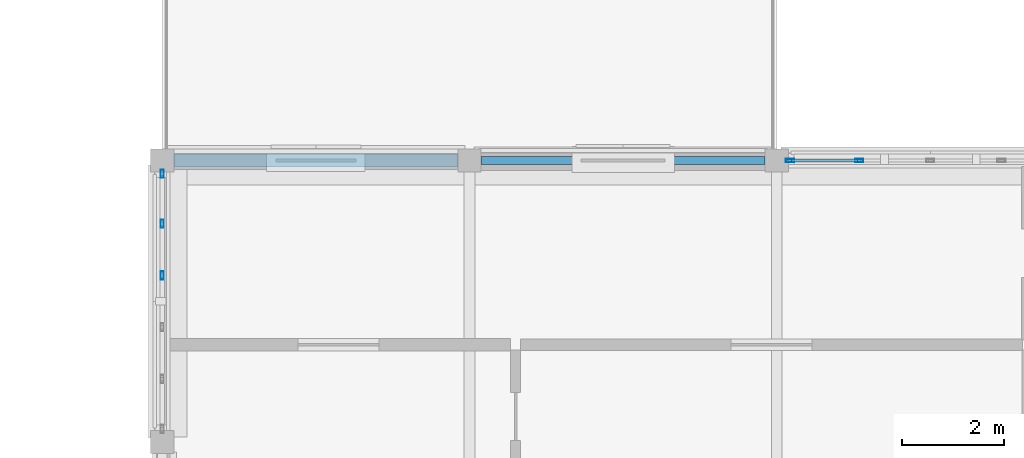
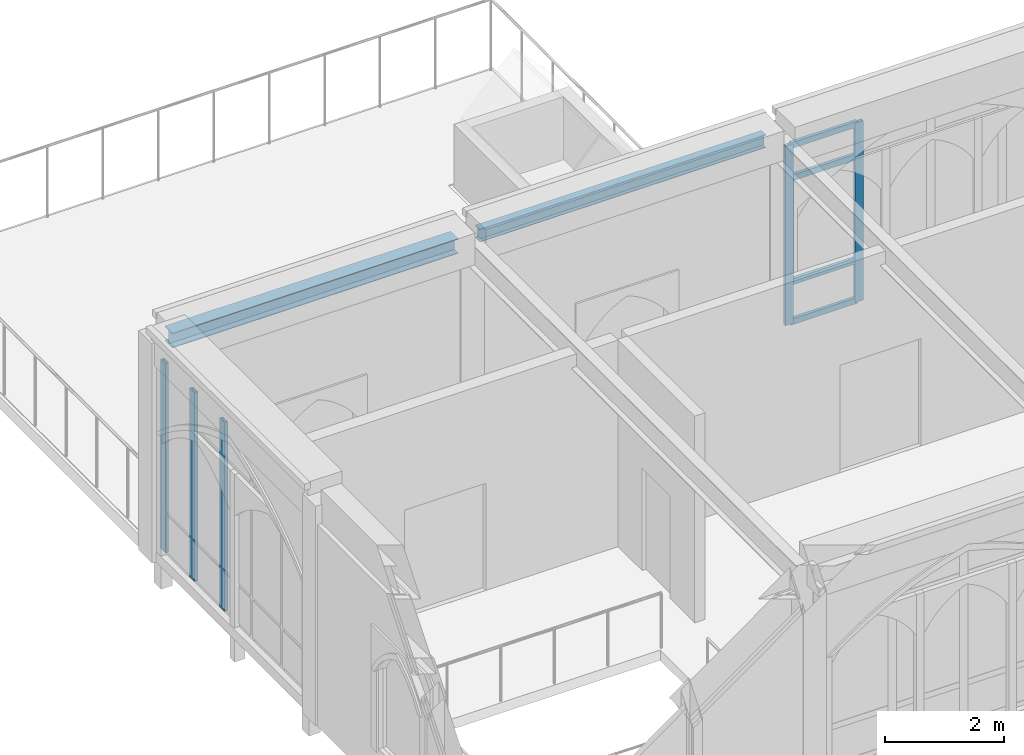
# One storey, part 18 of 59: 9 members, 2 beams, 2 elements without a shape of their own.
"""IFC4 building model written with IfcOpenShell, lengths in metres."""

from ifc_helpers import new_model, si_unit, direction, frame, origin, origin_2d, place, context, subcontext, project, spatial, hollow_rectangle, i_section, extrude, material, layer, layer_set, material_profile, profile_set, type_object, element, aggregate, save


model = new_model("IFC4")

# Units and contexts
model_context = context("Model", 3, precision=1e-05, world=origin(), true_north=direction((0.0, 1.0)))
body_context = subcontext(model_context, "Body", "Model", "MODEL_VIEW")
ifc_project = project(units=[si_unit("LENGTHUNIT", "METRE"), si_unit("AREAUNIT", "SQUARE_METRE"), si_unit("VOLUMEUNIT", "CUBIC_METRE"), si_unit("PLANEANGLEUNIT", "RADIAN"), si_unit("MASSUNIT", "GRAM", prefix="KILO")], contexts=[model_context])

# Site, building, storey
site_placement = place(None, origin())
site = spatial("IfcSite", under=ifc_project, at=site_placement, CompositionType="ELEMENT")
building_placement = place(site_placement, origin())
building = spatial("IfcBuilding", under=site, at=building_placement, Name="Cumevento Cable Car Station", CompositionType="ELEMENT")
storey_placement = place(building_placement, frame((0.0, 0.0, 18.0)))
storey = spatial("IfcBuildingStorey", under=building, at=storey_placement, Name="L05", CompositionType="ELEMENT", Elevation=18.0)

# Curtain wall, members
ifc_material_1 = material(Name="Anodised Bronze Aluminium AW-6063-T6", Category="aluminium")
ifc_layer_1 = layer(ifc_material_1, 0.238037109375)
ifc_layer_set_1 = layer_set([ifc_layer_1], Name="Anodised Bronze Aluminium AW-6063-T6")
curtain_wall_type_1 = type_object("IfcCurtainWallType", Name="Lancet Curtain Wall CW-14 1570", PredefinedType="NOTDEFINED", material=ifc_layer_set_1)
curtain_wall_1_placement = place(storey_placement, origin())
curtain_wall_1 = element("IfcCurtainWall", 1, at=curtain_wall_1_placement, inside=storey, type_object=curtain_wall_type_1, Name="Lancet Curtain Wall CW-14 L05 #205", PredefinedType="NOTDEFINED")
ifc_material_2 = material(Name="Anodised Bronze Aluminium AW-6063-T6", Category="aluminium")
ifc_material_profile_1 = material_profile(ifc_material_2, hollow_rectangle(XDim=0.06494140625, YDim=0.159912109375, WallThickness=0.00390625, at=origin_2d()), Name="ALUM65x160x4")
ifc_profile_set_1 = profile_set([ifc_material_profile_1], Name="Anodised Bronze Aluminium AW-6063-T6")
member_type_1 = type_object("IfcMemberType", Name="Curtain Mullion CWM-01 ALUM65x160x4", PredefinedType="MULLION", material=ifc_profile_set_1)
member_1_placement = place(storey_placement, frame((34.257568359375, 56.5, 0.409912109375), z_axis=(0.0, 0.0, 1.0), x_axis=(0.0, 1.0, 0.0)))
member_1 = element("IfcMember", 2, at=member_1_placement, type_object=member_type_1, Name="CW-14 mullion 1", PredefinedType="MULLION", context=body_context, shape_type="SweptSolid", body=[
    extrude(hollow_rectangle(XDim=0.06494140625, YDim=0.159912109375, WallThickness=0.00390625, at=origin_2d()), origin(), (0.0, 0.0, 1.0), 3.68310546875),
])
member_2_placement = place(storey_placement, frame((35.612548828125, 56.5, 0.409912109375), z_axis=(0.0, 0.0, 1.0), x_axis=(0.0, 1.0, 0.0)))
member_2 = element("IfcMember", 3, at=member_2_placement, type_object=member_type_1, Name="CW-14 mullion 2", PredefinedType="MULLION", context=body_context, shape_type="SweptSolid", body=[
    extrude(hollow_rectangle(XDim=0.06494140625, YDim=0.159912109375, WallThickness=0.00390625, at=origin_2d()), origin(), (0.0, 0.0, 1.0), 3.68310546875),
])

ifc_material_3 = material(Name="Anodised Bronze Aluminium AW-6063-T6", Category="aluminium")
ifc_layer_2 = layer(ifc_material_3, 0.166015625)
ifc_layer_set_2 = layer_set([ifc_layer_2], Name="Anodised Bronze Aluminium AW-6063-T6")
curtain_wall_type_2 = type_object("IfcCurtainWallType", Name="Lancet Curtain Wall CW-02 1090", PredefinedType="NOTDEFINED", material=ifc_layer_set_2)
curtain_wall_2_placement = place(storey_placement, origin())
curtain_wall_2 = element("IfcCurtainWall", 4, at=curtain_wall_2_placement, inside=storey, type_object=curtain_wall_type_2, Name="Lancet Curtain Wall CW-02 L05 #209", PredefinedType="NOTDEFINED")
member_3_placement = place(storey_placement, frame((22.0, 54.2548828125, 0.2099609375), z_axis=(0.0, 0.0, 1.0), x_axis=(-1.0, 0.0, 0.0)))
member_3 = element("IfcMember", 5, at=member_3_placement, type_object=member_type_1, Name="CW-02 mullion 4", PredefinedType="MULLION", context=body_context, shape_type="SweptSolid", body=[
    extrude(hollow_rectangle(XDim=0.06494140625, YDim=0.159912109375, WallThickness=0.00390625, at=origin_2d()), origin(), (0.0, 0.0, 1.0), 3.883056640625),
])
member_4_placement = place(storey_placement, frame((22.0, 55.264892578125, 0.2099609375), z_axis=(0.0, 0.0, 1.0), x_axis=(-1.0, 0.0, 0.0)))
member_4 = element("IfcMember", 6, at=member_4_placement, type_object=member_type_1, Name="CW-02 mullion 5", PredefinedType="MULLION", context=body_context, shape_type="SweptSolid", body=[
    extrude(hollow_rectangle(XDim=0.06494140625, YDim=0.159912109375, WallThickness=0.00390625, at=origin_2d()), origin(), (0.0, 0.0, 1.0), 3.883056640625),
])
member_5_placement = place(storey_placement, frame((22.0, 56.242431640625, 0.2099609375), z_axis=(0.0, 0.0, 1.0), x_axis=(-1.0, 0.0, 0.0)))
member_5 = element("IfcMember", 7, at=member_5_placement, type_object=member_type_1, Name="CW-02 mullion 6", PredefinedType="MULLION", context=body_context, shape_type="SweptSolid", body=[
    extrude(hollow_rectangle(XDim=0.06494140625, YDim=0.159912109375, WallThickness=0.00390625, at=origin_2d()), origin(), (0.0, 0.0, 1.0), 3.883056640625),
])
aggregate(curtain_wall_2, [member_3, member_4, member_5])

# Member
ifc_material_4 = material(Name="Anodised Bronze Aluminium AW-6063-T6", Category="aluminium")
ifc_material_profile_2 = material_profile(ifc_material_4, hollow_rectangle(XDim=0.06494140625, YDim=0.1201171875, WallThickness=0.00390625, at=origin_2d()), Name="ALUT65x120x4")
ifc_profile_set_2 = profile_set([ifc_material_profile_2], Name="Anodised Bronze Aluminium AW-6063-T6")
member_type_2 = type_object("IfcMemberType", Name="Curtain Transom CWT-01 ALUT65x120x4", PredefinedType="USERDEFINED", material=ifc_profile_set_2)
member_6_placement = place(storey_placement, frame((34.2900390625, 56.5, 0.4423828125), z_axis=(1.0, 0.0, 0.0), x_axis=(0.0, 1.0, 0.0)))
member_6 = element("IfcMember", 8, at=member_6_placement, type_object=member_type_2, Name="CW-14 transom 1.1", ObjectType="TRANSOM", PredefinedType="USERDEFINED", context=body_context, shape_type="SweptSolid", body=[
    extrude(hollow_rectangle(XDim=0.06494140625, YDim=0.1201171875, WallThickness=0.00390625, at=origin_2d()), origin(), (0.0, 0.0, 1.0), 1.2900390625),
])

member_7_placement = place(storey_placement, frame((34.2900390625, 56.5, 1.260009765625), z_axis=(1.0, 0.0, 0.0), x_axis=(0.0, 1.0, 0.0)))
member_7 = element("IfcMember", 9, at=member_7_placement, type_object=member_type_2, Name="CW-14 transom 1.2", ObjectType="TRANSOM", PredefinedType="USERDEFINED", context=body_context, shape_type="SweptSolid", body=[
    extrude(hollow_rectangle(XDim=0.06494140625, YDim=0.1201171875, WallThickness=0.00390625, at=origin_2d()), origin(), (0.0, 0.0, 1.0), 1.2900390625),
])

member_8_placement = place(storey_placement, frame((34.2900390625, 56.5, 3.39306640625), z_axis=(1.0, 0.0, 0.0), x_axis=(0.0, 1.0, 0.0)))
member_8 = element("IfcMember", 10, at=member_8_placement, type_object=member_type_2, Name="CW-14 transom 1.3", ObjectType="TRANSOM", PredefinedType="USERDEFINED", context=body_context, shape_type="SweptSolid", body=[
    extrude(hollow_rectangle(XDim=0.06494140625, YDim=0.1201171875, WallThickness=0.00390625, at=origin_2d()), origin(), (0.0, 0.0, 1.0), 1.2900390625),
])

member_9_placement = place(storey_placement, frame((34.2900390625, 56.5, 4.060546875), z_axis=(1.0, 0.0, 0.0), x_axis=(0.0, 1.0, 0.0)))
member_9 = element("IfcMember", 11, at=member_9_placement, type_object=member_type_2, Name="CW-14 transom 1.4", ObjectType="TRANSOM", PredefinedType="USERDEFINED", context=body_context, shape_type="SweptSolid", body=[
    extrude(hollow_rectangle(XDim=0.06494140625, YDim=0.1201171875, WallThickness=0.00390625, at=origin_2d()), origin(), (0.0, 0.0, 1.0), 1.2900390625),
])

aggregate(curtain_wall_1, [member_1, member_2, member_6, member_7, member_8, member_9])

# Beams
ifc_material_5 = material(Name="Steel ASTM A572 Grade 50", Category="steel")
ifc_material_profile_3 = material_profile(ifc_material_5, i_section(OverallWidth=0.25390625, OverallDepth=0.305908203125, WebThickness=0.0087890625, FlangeThickness=0.0146484375, at=origin_2d()), Name="W310x79.0")
ifc_profile_set_3 = profile_set([ifc_material_profile_3], Name="Steel ASTM A572 Grade 50")
beam_type_1 = type_object("IfcBeamType", Name="Structural Beam BM-06 W310x79.0", PredefinedType="BEAM", material=ifc_profile_set_3)
beam_1_placement = place(storey_placement, frame((22.22509765625, 56.5, 4.346923828125), z_axis=(1.0, 0.0, 0.0), x_axis=(0.0, 1.0, 0.0)))
element("IfcBeam", 12, at=beam_1_placement, inside=storey, type_object=beam_type_1, Name="Beam BM-06 L05 #1595", PredefinedType="BEAM", context=body_context, shape_type="SweptSolid", body=[
    extrude(i_section(OverallWidth=0.25390625, OverallDepth=0.305908203125, WebThickness=0.0087890625, FlangeThickness=0.0146484375, at=origin_2d()), origin(), (0.0, 0.0, 1.0), 5.5498046875),
])
ifc_material_6 = material(Name="Steel ASTM A572 Grade 50", Category="steel")
ifc_material_profile_4 = material_profile(ifc_material_6, i_section(OverallWidth=0.14794921875, OverallDepth=0.26611328125, WebThickness=0.007568359375, FlangeThickness=0.012939453125, at=origin_2d()), Name="W250x44.8")
ifc_profile_set_4 = profile_set([ifc_material_profile_4], Name="Steel ASTM A572 Grade 50")
beam_type_2 = type_object("IfcBeamType", Name="Structural Beam BM-07 W250x44.8", PredefinedType="BEAM", material=ifc_profile_set_4)
beam_2_placement = place(storey_placement, frame((28.22509765625, 56.5, 4.366943359375), z_axis=(1.0, 0.0, 0.0), x_axis=(0.0, 1.0, 0.0)))
element("IfcBeam", 13, at=beam_2_placement, inside=storey, type_object=beam_type_2, Name="Beam BM-07 L05 #1596", PredefinedType="BEAM", context=body_context, shape_type="SweptSolid", body=[
    extrude(i_section(OverallWidth=0.14794921875, OverallDepth=0.26611328125, WebThickness=0.007568359375, FlangeThickness=0.012939453125, at=origin_2d()), origin(), (0.0, 0.0, 1.0), 5.5498046875),
])

save(model, "model.ifc")
